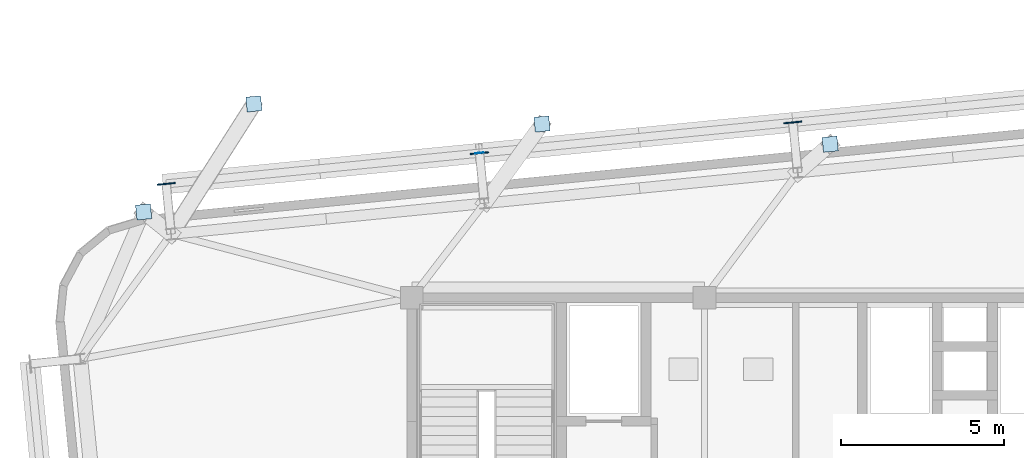
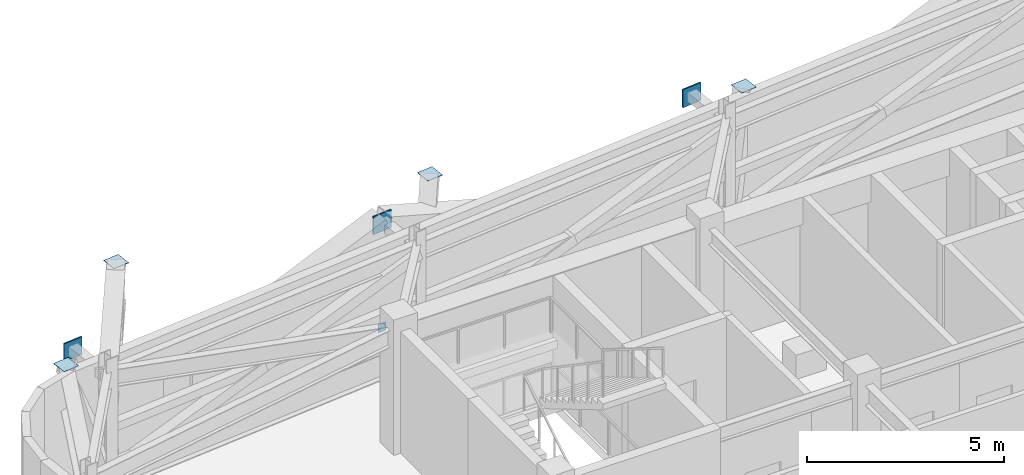
# One storey, part 18 of 24: 8 plates.
"""IFC4 building model written with IfcOpenShell, lengths in metres."""

from ifc_helpers import new_model, si_unit, direction, frame, origin, origin_2d, place, context, subcontext, project, spatial, rectangle, extrude, source, transform, mapped, material, layer, layer_set, type_object, element, save


model = new_model("IFC4")

# Units and contexts
model_context = context("Model", 3, precision=1e-05, world=origin(), true_north=direction((0.0, 1.0)))
body_context = subcontext(model_context, "Body", "Model", "MODEL_VIEW")
ifc_project = project(units=[si_unit("LENGTHUNIT", "METRE"), si_unit("AREAUNIT", "SQUARE_METRE"), si_unit("VOLUMEUNIT", "CUBIC_METRE"), si_unit("PLANEANGLEUNIT", "RADIAN"), si_unit("MASSUNIT", "GRAM", prefix="KILO")], contexts=[model_context])

# Site, building, storey
site_placement = place(None, origin())
site = spatial("IfcSite", under=ifc_project, at=site_placement, CompositionType="ELEMENT")
building_placement = place(site_placement, origin())
building = spatial("IfcBuilding", under=site, at=building_placement, Name="Taldren Reach Tower", CompositionType="ELEMENT")
storey_placement = place(building_placement, frame((0.0, 0.0, 112.35009765625)))
storey = spatial("IfcBuildingStorey", under=building, at=storey_placement, Name="L34", CompositionType="ELEMENT", Elevation=112.35009765625)

# Plates
ifc_material_1 = material(Name="Steel Gr 450 (C450L0)", Category="steel")
ifc_layer_1 = layer(ifc_material_1, 0.0400390625)
ifc_layer_set_1 = layer_set([ifc_layer_1], Name="Steel Gr 450 (C450L0)")
plate_type_1 = type_object("IfcPlateType", Name="PL-GUSSET-40", PredefinedType="SHEET", material=ifc_layer_set_1)
shared_shape_1 = source(origin(), body_context, "Body", "SweptSolid", [
    extrude(rectangle(XDim=0.56005859375, YDim=0.0400390625, at=origin_2d()), origin(), (0.0, 0.0, 1.0), 0.56005859375),
])
for number, where, z_axis, x_axis, name in (
    (1, (11.445556640625, 35.49951171875, 3.219970703125), (0.0, 0.0, 1.0), (0.995227399982, 0.097582899759, 0.0), "Exoskeleton star-node gusset plate B2-N1 L34"),
    (2, (21.079345703125, 36.444091796875, 3.219970703125), (0.0, 0.0, 1.0), (0.995227399982, 0.097582899759, 0.0), "Exoskeleton star-node gusset plate B2-N2 L34"),
    (3, (30.713134765625, 37.388671875, 3.219970703125), (0.0, 0.0, 1.0), (0.995227399982, 0.097582899759, 0.0), "Exoskeleton star-node gusset plate B2-N3 L34"),
):
    element("IfcPlate", number, at=place(storey_placement, frame(where, z_axis=z_axis, x_axis=x_axis)), inside=storey, type_object=plate_type_1, Name=name, PredefinedType="SHEET", context=body_context, shape_type="MappedRepresentation", body=[
        mapped(shared_shape_1, transform((0.0, 0.0, 0.0), scale=1.0)),
    ])
ifc_material_2 = material(Name="Steel Gr 350 (C350L0)", Category="steel")
ifc_layer_2 = layer(ifc_material_2, 0.011962890625)
ifc_layer_set_2 = layer_set([ifc_layer_2], Name="Steel Gr 350 (C350L0)")
plate_type_2 = type_object("IfcPlateType", Name="PL-CAP-250", PredefinedType="SHEET", material=ifc_layer_set_2)
shared_shape_2 = source(origin(), body_context, "Body", "SweptSolid", [
    extrude(rectangle(XDim=0.25, YDim=0.011962890625, at=origin_2d()), origin(), (0.0, 0.0, 1.0), 0.25),
])
plate_placement = place(storey_placement, frame((21.078857421875, 36.449951171875, 0.094970703125), z_axis=(0.0, 0.0, 1.0), x_axis=(0.995227399982, 0.097582899759, 0.0)))
element("IfcPlate", 4, at=plate_placement, inside=storey, type_object=plate_type_2, Name="Tie strut end cap plate B2-N2 L34", PredefinedType="SHEET", context=body_context, shape_type="MappedRepresentation", body=[
    mapped(shared_shape_2, transform((0.0, 0.0, 0.0), scale=1.0)),
])
ifc_layer_3 = layer(ifc_material_1, 0.011962890625)
ifc_layer_set_3 = layer_set([ifc_layer_3], Name="Steel Gr 450 (C450L0)")
plate_type_3 = type_object("IfcPlateType", Name="PL-CAP-460", PredefinedType="SHEET", material=ifc_layer_set_3)
shared_shape_3 = source(origin(), body_context, "Body", "SweptSolid", [
    extrude(rectangle(XDim=0.4599609375, YDim=0.4599609375, at=origin_2d()), origin(), (0.0, 0.0, 1.0), 0.011962890625),
])
for number, where, z_axis, x_axis, name in (
    (5, (14.14453125, 37.958740234375, 3.76806640625), (0.0, 0.0, 1.0), (0.995227399982, 0.097582899759, 0.0), "Transfer strut end cap plate TS-B3-N1 L34"),
    (6, (23.0029296875, 37.33935546875, 3.76806640625), (0.0, 0.0, 1.0), (0.995227399982, 0.097582899759, 0.0), "Transfer strut end cap plate TS-B3-N2 L34"),
    (7, (31.861328125, 36.719970703125, 3.76806640625), (0.0, 0.0, 1.0), (0.995227399982, 0.097582899759, 0.0), "Transfer strut end cap plate TS-B3-N3 L34"),
    (8, (10.754638671875, 34.63720703125, 3.76806640625), (0.0, 0.0, 1.0), (0.995227399982, 0.097582899759, 0.0), "Transfer strut end cap plate TS-B3-W3 L34"),
):
    element("IfcPlate", number, at=place(storey_placement, frame(where, z_axis=z_axis, x_axis=x_axis)), inside=storey, type_object=plate_type_3, Name=name, PredefinedType="SHEET", context=body_context, shape_type="MappedRepresentation", body=[
        mapped(shared_shape_3, transform((0.0, 0.0, 0.0), scale=1.0)),
    ])

save(model, "model.ifc")
